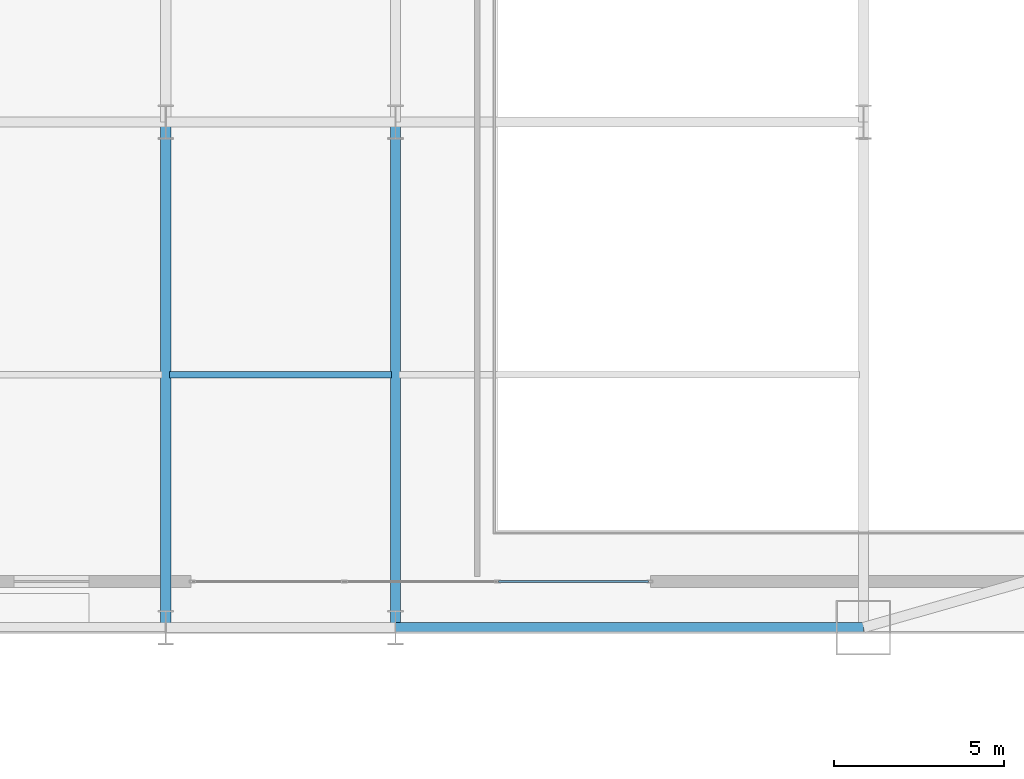
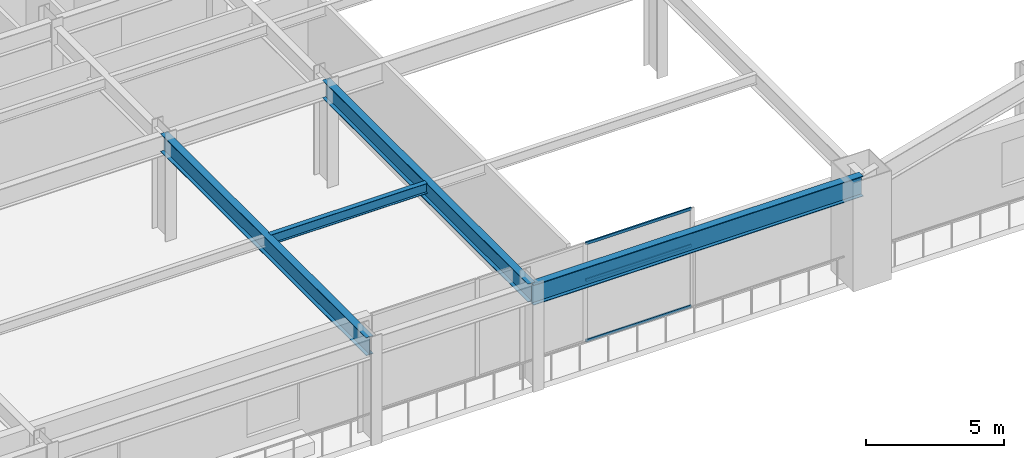
# One storey, part 5 of 35: 4 beams, 3 members, 1 element without a shape of its own.
"""IFC4 building model written with IfcOpenShell, lengths in metres."""

from ifc_helpers import new_model, si_unit, direction, frame, origin, origin_2d, place, context, subcontext, project, spatial, hollow_rectangle, i_section, extrude, material, layer, layer_set, material_profile, profile_set, type_object, element, aggregate, save


model = new_model("IFC4")

# Units and contexts
model_context = context("Model", 3, precision=1e-05, world=origin(), true_north=direction((0.0, 1.0)))
body_context = subcontext(model_context, "Body", "Model", "MODEL_VIEW")
ifc_project = project(units=[si_unit("LENGTHUNIT", "METRE"), si_unit("AREAUNIT", "SQUARE_METRE"), si_unit("VOLUMEUNIT", "CUBIC_METRE"), si_unit("PLANEANGLEUNIT", "RADIAN"), si_unit("MASSUNIT", "GRAM", prefix="KILO")], contexts=[model_context])

# Site, building, storey
site_placement = place(None, origin())
site = spatial("IfcSite", under=ifc_project, at=site_placement, CompositionType="ELEMENT")
building_placement = place(site_placement, origin())
building = spatial("IfcBuilding", under=site, at=building_placement, Name="Haevon Station Towers", CompositionType="ELEMENT")
storey_placement = place(building_placement, frame((0.0, 0.0, 20.39990234375)))
storey = spatial("IfcBuildingStorey", under=building, at=storey_placement, Name="L04", CompositionType="ELEMENT", Elevation=20.39990234375)

# Beams
ifc_material_1 = material(Name="Steel S355", Category="steel")
ifc_material_profile_1 = material_profile(ifc_material_1, i_section(OverallWidth=0.199951171875, OverallDepth=0.449951171875, WebThickness=0.009033203125, FlangeThickness=0.013916015625, at=origin_2d()), Name="H-450x200x9x14")
ifc_profile_set_1 = profile_set([ifc_material_profile_1], Name="Steel S355")
beam_type_1 = type_object("IfcBeamType", Name="BM-J450", PredefinedType="JOIST", material=ifc_profile_set_1)
beam_1_placement = place(storey_placement, frame((44.360107421875, 22.574951171875, 4.22509765625), z_axis=(1.0, 0.0, 0.0), x_axis=(0.0, 1.0, 0.0)))
element("IfcBeam", 1, at=beam_1_placement, inside=storey, type_object=beam_type_1, Name="BM-T1J-L04-01-04", PredefinedType="JOIST", context=body_context, shape_type="SweptSolid", body=[
    extrude(i_section(OverallWidth=0.199951171875, OverallDepth=0.449951171875, WebThickness=0.009033203125, FlangeThickness=0.013916015625, at=origin_2d()), origin(), (0.0, 0.0, 1.0), 6.52978515625),
])
ifc_material_profile_2 = material_profile(ifc_material_1, i_section(OverallWidth=0.300048828125, OverallDepth=0.800048828125, WebThickness=0.013916015625, FlangeThickness=0.02587890625, at=origin_2d()), Name="H-800x300x14x26")
ifc_profile_set_2 = profile_set([ifc_material_profile_2], Name="Steel S355")
beam_type_2 = type_object("IfcBeamType", Name="BM-PG800", PredefinedType="BEAM", material=ifc_profile_set_2)
for number, where, z_axis, x_axis, name in (
    (2, (44.25, 15.14990234375, 4.050048828125), (0.0, 1.0, 0.0), (-1.0, 0.0, 0.0), "BM-T1Y-L04-05-01"),
    (3, (51.0, 15.14990234375, 4.050048828125), (0.0, 1.0, 0.0), (-1.0, 0.0, 0.0), "BM-T1Y-L04-06-01"),
):
    element("IfcBeam", number, at=place(storey_placement, frame(where, z_axis=z_axis, x_axis=x_axis)), inside=storey, type_object=beam_type_2, Name=name, PredefinedType="BEAM", context=body_context, shape_type="SweptSolid", body=[
        extrude(i_section(OverallWidth=0.300048828125, OverallDepth=0.800048828125, WebThickness=0.013916015625, FlangeThickness=0.02587890625, at=origin_2d()), origin(), (0.0, 0.0, 1.0), 14.85009765625),
    ])
ifc_material_profile_3 = material_profile(ifc_material_1, i_section(OverallWidth=0.300048828125, OverallDepth=0.89990234375, WebThickness=0.01611328125, FlangeThickness=0.028076171875, at=origin_2d()), Name="H-900x300x16x28")
ifc_profile_set_3 = profile_set([ifc_material_profile_3], Name="Steel S355")
beam_type_3 = type_object("IfcBeamType", Name="BM-PG900", PredefinedType="BEAM", material=ifc_profile_set_3)
beam_2_placement = place(storey_placement, frame((51.0, 15.14990234375, 4.0), z_axis=(1.0, 0.0, 0.0), x_axis=(0.0, 1.0, 0.0)))
element("IfcBeam", 4, at=beam_2_placement, inside=storey, type_object=beam_type_3, Name="BM-T1X-L04-01-06", PredefinedType="BEAM", context=body_context, shape_type="SweptSolid", body=[
    extrude(i_section(OverallWidth=0.300048828125, OverallDepth=0.89990234375, WebThickness=0.01611328125, FlangeThickness=0.028076171875, at=origin_2d()), origin(), (0.0, 0.0, 1.0), 13.75),
])

# Curtain wall, members
ifc_material_2 = material(Name="Anodised aluminium and Low-E double glazing", Category="aluminium")
ifc_layer = layer(ifc_material_2, 0.179931640625)
ifc_layer_set = layer_set([ifc_layer], Name="Anodised aluminium and Low-E double glazing")
curtain_wall_type = type_object("IfcCurtainWallType", Name="CW-SYS2", PredefinedType="NOTDEFINED", material=ifc_layer_set)
curtain_wall_placement = place(storey_placement, origin())
curtain_wall = element("IfcCurtainWall", 5, at=curtain_wall_placement, inside=storey, type_object=curtain_wall_type, Name="L04 Curtain Wall CW-POD-L04-S2", PredefinedType="NOTDEFINED")
ifc_material_3 = material(Name="Anodised aluminium 6063-T6", Category="aluminium")
ifc_material_profile_4 = material_profile(ifc_material_3, hollow_rectangle(XDim=0.06005859375, YDim=0.1201171875, WallThickness=0.0029296875, at=origin_2d()), Name="CWT-120x60x3")
ifc_profile_set_4 = profile_set([ifc_material_profile_4], Name="Anodised aluminium 6063-T6")
member_type = type_object("IfcMemberType", Name="CWT-120", PredefinedType="USERDEFINED", material=ifc_profile_set_4)
member_1_placement = place(storey_placement, frame((58.43505859375, 16.5, 0.030029296875), z_axis=(-1.0, 0.0, 0.0), x_axis=(0.0, -1.0, 0.0)))
member_1 = element("IfcMember", 6, at=member_1_placement, type_object=member_type, Name="CW-SYS2 transom 1.1", ObjectType="TRANSOM", PredefinedType="USERDEFINED", context=body_context, shape_type="SweptSolid", body=[
    extrude(hollow_rectangle(XDim=0.06005859375, YDim=0.1201171875, WallThickness=0.0029296875, at=origin_2d()), origin(), (0.0, 0.0, 1.0), 4.402587890625),
])
member_2_placement = place(storey_placement, frame((58.43505859375, 16.5, 2.697021484375), z_axis=(-1.0, 0.0, 0.0), x_axis=(0.0, -1.0, 0.0)))
member_2 = element("IfcMember", 7, at=member_2_placement, type_object=member_type, Name="CW-SYS2 transom 1.2", ObjectType="TRANSOM", PredefinedType="USERDEFINED", context=body_context, shape_type="SweptSolid", body=[
    extrude(hollow_rectangle(XDim=0.06005859375, YDim=0.1201171875, WallThickness=0.0029296875, at=origin_2d()), origin(), (0.0, 0.0, 1.0), 4.402587890625),
])
member_3_placement = place(storey_placement, frame((58.43505859375, 16.5, 4.320068359375), z_axis=(-1.0, 0.0, 0.0), x_axis=(0.0, -1.0, 0.0)))
member_3 = element("IfcMember", 8, at=member_3_placement, type_object=member_type, Name="CW-SYS2 transom 1.3", ObjectType="TRANSOM", PredefinedType="USERDEFINED", context=body_context, shape_type="SweptSolid", body=[
    extrude(hollow_rectangle(XDim=0.06005859375, YDim=0.1201171875, WallThickness=0.0029296875, at=origin_2d()), origin(), (0.0, 0.0, 1.0), 4.402587890625),
])
aggregate(curtain_wall, [member_1, member_2, member_3])

save(model, "model.ifc")
